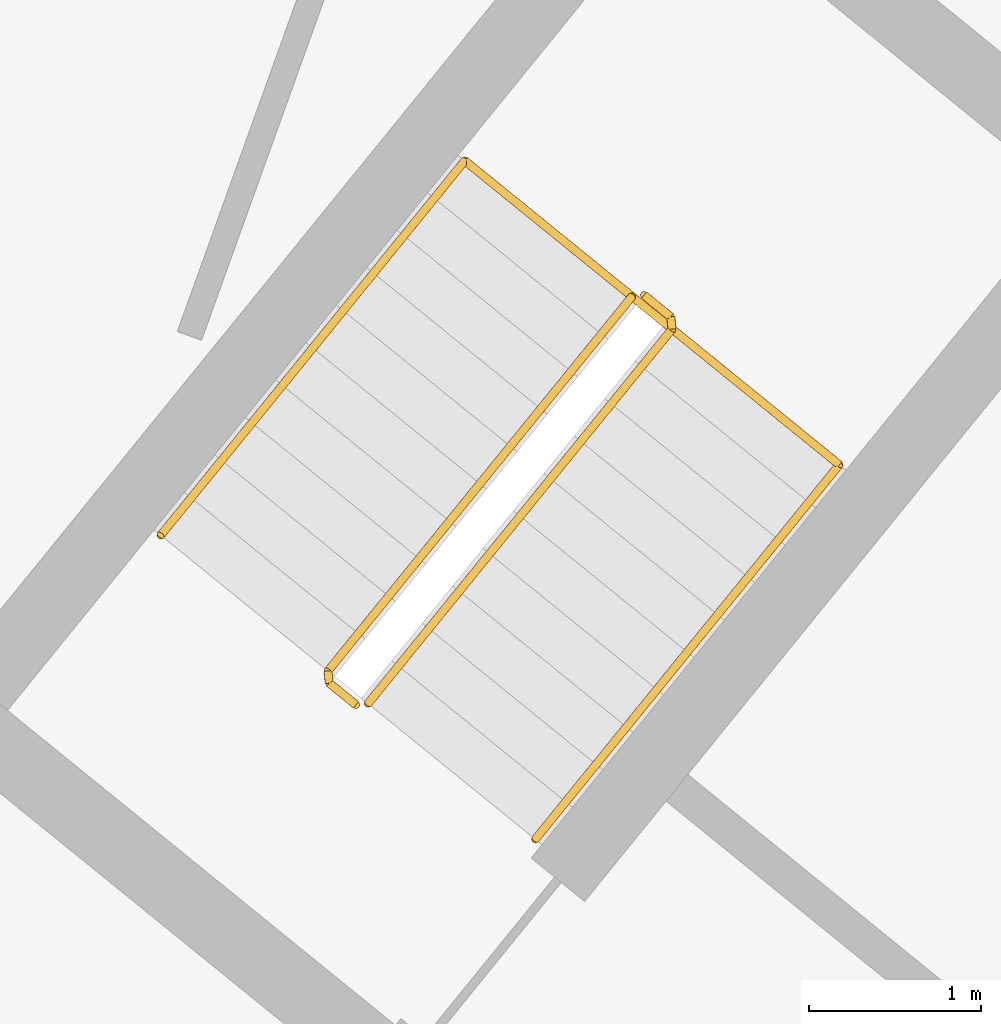
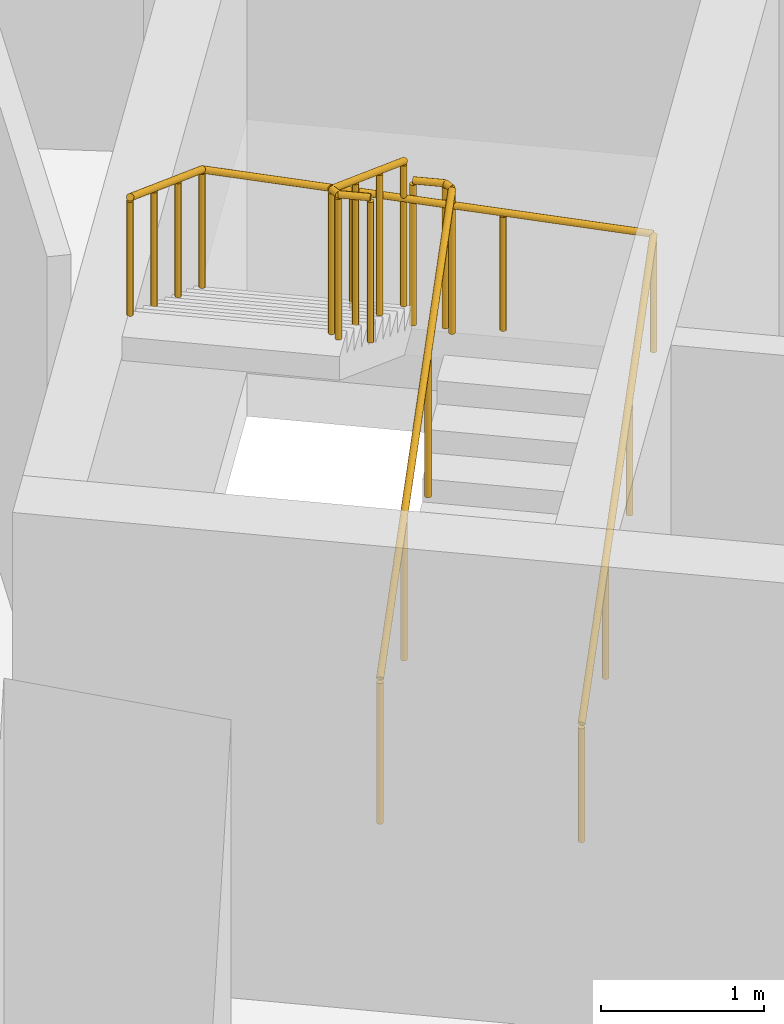
# One storey, part 21 of 21: 3 railings.
"""IFC4 building model written with IfcOpenShell, lengths in metres."""

from ifc_helpers import new_model, si_unit, direction, frame, origin, origin_2d, place, context, subcontext, project, spatial, circle, extrude, material, type_object, element, save


model = new_model("IFC4")

# Units and contexts
model_context = context("Model", 3, precision=1e-05, world=origin(), true_north=direction((0.0, 1.0)))
body_context = subcontext(model_context, "Body", "Model", "MODEL_VIEW")
ifc_project = project(units=[si_unit("LENGTHUNIT", "METRE"), si_unit("AREAUNIT", "SQUARE_METRE"), si_unit("VOLUMEUNIT", "CUBIC_METRE"), si_unit("PLANEANGLEUNIT", "RADIAN"), si_unit("MASSUNIT", "GRAM", prefix="KILO")], contexts=[model_context])

# Site, building, storey
site_placement = place(None, origin())
site = spatial("IfcSite", under=ifc_project, at=site_placement, CompositionType="ELEMENT")
building_placement = place(site_placement, origin())
building = spatial("IfcBuilding", under=site, at=building_placement, Name="Stone Belt Terrace Tower", CompositionType="ELEMENT")
storey_placement = place(building_placement, frame((0.0, 0.0, 33.800048828125)))
storey = spatial("IfcBuildingStorey", under=building, at=storey_placement, Name="L07", CompositionType="ELEMENT", Elevation=33.800048828125)

# Railings
ifc_material = material(Name="Structural steel C345", Category="steel")
railing_type_1 = type_object("IfcRailingType", Name="Stair guard 1100", PredefinedType="GUARDRAIL", material=ifc_material)
railing_1_placement = place(storey_placement, frame((29.39794921875, 38.281982421875, 0.172607421875)))
element("IfcRailing", 1, at=railing_1_placement, inside=storey, type_object=railing_type_1, Name="L07 ST3B stair guard 1", PredefinedType="GUARDRAIL", context=body_context, shape_type="SweptSolid", body=[
    extrude(circle(Radius=0.02392578125, at=origin_2d()), frame((0.0, 0.0, 1.076171875), z_axis=(0.536393061503, 0.660769759217, 0.525038864158), x_axis=(-0.776391310223, 0.630251166924, 0.0)), (0.0, 0.0, 1.0), 3.289794921875),
    extrude(circle(Radius=0.02392578125, at=origin_2d()), frame((1.7646484375, 2.173828125, 2.80322265625), z_axis=(-0.103251414163, 0.994655289773, 0.0), x_axis=(-0.994655289773, -0.103251414163, 0.0)), (0.0, 0.0, 1.0), 0.071044921875),
    extrude(circle(Radius=0.02392578125, at=origin_2d()), frame((1.75732421875, 2.244384765625, 2.80322265625), z_axis=(-0.776561986372, 0.630040856868, 0.0), x_axis=(-0.630040856868, -0.776561986372, 0.0)), (0.0, 0.0, 1.0), 0.199951171875),
    extrude(circle(Radius=0.02099609375, at=origin_2d()), origin(), (0.0, 0.0, 1.0), 1.052001953125),
    extrude(circle(Radius=0.02099609375, at=origin_2d()), frame((0.588134765625, 0.724609375, 0.57568359375)), (0.0, 0.0, 1.0), 1.052001953125),
    extrude(circle(Radius=0.02099609375, at=origin_2d()), frame((1.176513671875, 1.44921875, 1.151611328125)), (0.0, 0.0, 1.0), 1.052001953125),
    extrude(circle(Radius=0.02099609375, at=origin_2d()), frame((1.7646484375, 2.173828125, 1.727294921875)), (0.0, 0.0, 1.0), 1.052001953125),
    extrude(circle(Radius=0.02099609375, at=origin_2d()), frame((1.75732421875, 2.244384765625, 1.727294921875)), (0.0, 0.0, 1.0), 1.052001953125),
    extrude(circle(Radius=0.02099609375, at=origin_2d()), frame((1.60205078125, 2.370361328125, 1.727294921875)), (0.0, 0.0, 1.0), 1.052001953125),
])
railing_2_placement = place(storey_placement, frame((30.9296875, 40.64501953125, 2.07275390625)))
element("IfcRailing", 2, at=railing_2_placement, inside=storey, type_object=railing_type_1, Name="L07 ST3B stair guard 2", PredefinedType="GUARDRAIL", context=body_context, shape_type="SweptSolid", body=[
    extrude(circle(Radius=0.02392578125, at=origin_2d()), frame((0.0, 0.0, 1.076171875), z_axis=(-0.536366759382, -0.660811565066, 0.525013118792), x_axis=(0.776425942316, -0.630208502084, 0.0)), (0.0, 0.0, 1.0), 3.2900390625),
    extrude(circle(Radius=0.02392578125, at=origin_2d()), frame((-1.7646484375, -2.174072265625, 2.80322265625), z_axis=(0.103606084259, -0.994618408891, 0.0), x_axis=(0.994618408891, 0.103606084259, 0.0)), (0.0, 0.0, 1.0), 0.07080078125),
    extrude(circle(Radius=0.02392578125, at=origin_2d()), frame((-1.75732421875, -2.244384765625, 2.80322265625), z_axis=(0.776561986372, -0.630040856868, 0.0), x_axis=(0.630040856868, 0.776561986372, 0.0)), (0.0, 0.0, 1.0), 0.199951171875),
    extrude(circle(Radius=0.02099609375, at=origin_2d()), origin(), (0.0, 0.0, 1.0), 1.052001953125),
    extrude(circle(Radius=0.02099609375, at=origin_2d()), frame((-0.588134765625, -0.724609375, 0.57568359375)), (0.0, 0.0, 1.0), 1.052001953125),
    extrude(circle(Radius=0.02099609375, at=origin_2d()), frame((-1.176513671875, -1.449462890625, 1.151611328125)), (0.0, 0.0, 1.0), 1.052001953125),
    extrude(circle(Radius=0.02099609375, at=origin_2d()), frame((-1.7646484375, -2.174072265625, 1.727294921875)), (0.0, 0.0, 1.0), 1.052001953125),
    extrude(circle(Radius=0.02099609375, at=origin_2d()), frame((-1.75732421875, -2.244384765625, 1.727294921875)), (0.0, 0.0, 1.0), 1.052001953125),
    extrude(circle(Radius=0.02099609375, at=origin_2d()), frame((-1.60205078125, -2.370361328125, 1.727294921875)), (0.0, 0.0, 1.0), 1.052001953125),
])
railing_type_2 = type_object("IfcRailingType", Name="Stair handrail 900", PredefinedType="HANDRAIL", material=ifc_material)
railing_3_placement = place(storey_placement, frame((30.36865234375, 37.494140625, 0.172607421875)))
element("IfcRailing", 3, at=railing_3_placement, inside=storey, type_object=railing_type_2, Name="L07 ST3B stair handrail 1", PredefinedType="HANDRAIL", context=body_context, shape_type="SweptSolid", body=[
    extrude(circle(Radius=0.02392578125, at=origin_2d()), frame((0.0, 0.0, 0.8759765625), z_axis=(0.536366759382, 0.660811565066, 0.525013118792), x_axis=(-0.776425942316, 0.630208502084, 0.0)), (0.0, 0.0, 1.0), 3.2900390625),
    extrude(circle(Radius=0.02392578125, at=origin_2d()), frame((1.7646484375, 2.174072265625, 2.60302734375), z_axis=(-0.774950814199, 0.629011171817, 0.061613158501), x_axis=(-0.630208502084, -0.776425942316, 0.0)), (0.0, 0.0, 1.0), 2.805419921875),
    extrude(circle(Radius=0.02392578125, at=origin_2d()), frame((-0.409423828125, 3.938720703125, 2.77587890625), z_axis=(-0.536366759382, -0.660811565066, 0.525013118792), x_axis=(0.776425942316, -0.630208502084, 0.0)), (0.0, 0.0, 1.0), 3.2900390625),
    extrude(circle(Radius=0.02099609375, at=origin_2d()), origin(), (0.0, 0.0, 1.0), 0.851806640625),
    extrude(circle(Radius=0.02099609375, at=origin_2d()), frame((0.588134765625, 0.724609375, 0.57568359375)), (0.0, 0.0, 1.0), 0.851806640625),
    extrude(circle(Radius=0.02099609375, at=origin_2d()), frame((1.176513671875, 1.449462890625, 1.151611328125)), (0.0, 0.0, 1.0), 0.851806640625),
    extrude(circle(Radius=0.02099609375, at=origin_2d()), frame((1.7646484375, 2.174072265625, 1.727294921875)), (0.0, 0.0, 1.0), 0.851806640625),
    extrude(circle(Radius=0.02099609375, at=origin_2d()), frame((1.0400390625, 2.76220703125, 1.784912109375)), (0.0, 0.0, 1.0), 0.851806640625),
    extrude(circle(Radius=0.02099609375, at=origin_2d()), frame((0.315185546875, 3.3505859375, 1.842529296875)), (0.0, 0.0, 1.0), 0.851806640625),
    extrude(circle(Radius=0.02099609375, at=origin_2d()), frame((-0.409423828125, 3.938720703125, 1.900146484375)), (0.0, 0.0, 1.0), 0.851806640625),
    extrude(circle(Radius=0.02099609375, at=origin_2d()), frame((-0.99755859375, 3.214111328125, 2.475830078125)), (0.0, 0.0, 1.0), 0.851806640625),
    extrude(circle(Radius=0.02099609375, at=origin_2d()), frame((-1.5859375, 2.4892578125, 3.0517578125)), (0.0, 0.0, 1.0), 0.851806640625),
    extrude(circle(Radius=0.02099609375, at=origin_2d()), frame((-2.174072265625, 1.7646484375, 3.62744140625)), (0.0, 0.0, 1.0), 0.851806640625),
])

save(model, "model.ifc")
